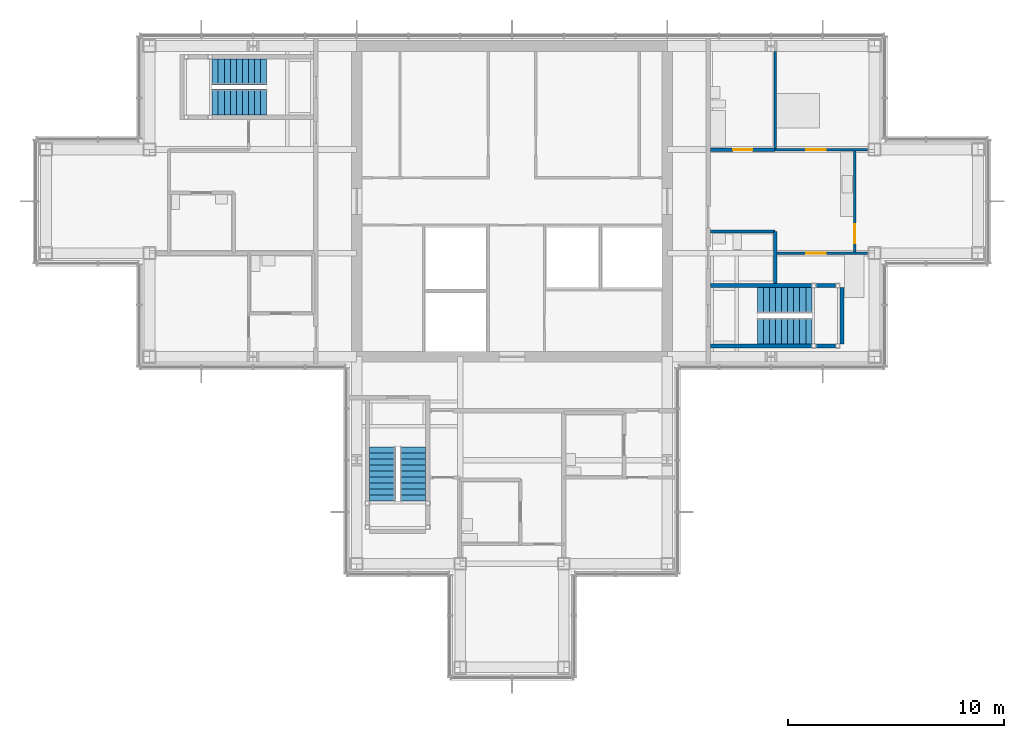
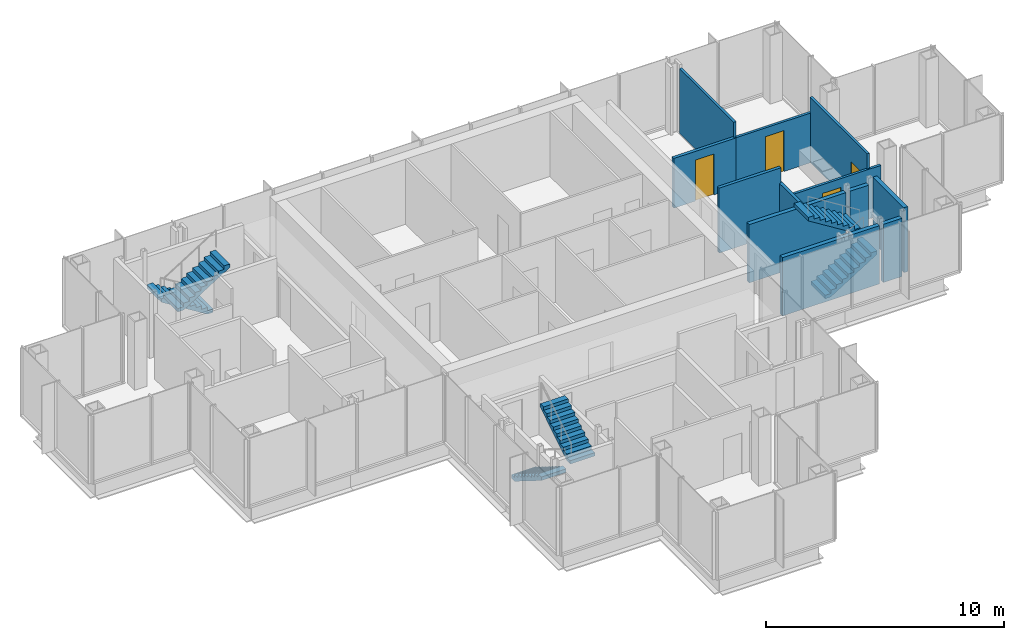
# One storey, part 12 of 15: 12 walls, 6 stair flights, 4 doors, 4 openings, 3 elements without a shape of their own.
"""IFC4 building model written with IfcOpenShell, lengths in metres."""

import ifcopenshell
import ifcopenshell.guid

model = None  # the IFC model being written
_history = None  # IfcOwnerHistory: only IFC2X3 demands one
_inside = {}  # id of a spatial element -> (the spatial element, [elements in it])
_under = {}  # id of a project, library or spatial element -> (it, [spatial elements below it])
_declared = {}  # id of a project -> (the project, [libraries it declares])
_typed = {}  # id of a type object -> (the type object, [elements of that type])
_made_of = {}  # id of a material, layer set ... -> (it, [elements and type objects made of it])


def new_model(schema):
    """Start an empty IFC model of exactly this schema.

    Asked for "IFC4X3", IfcOpenShell would pick the latest addendum, in which some entities
    have other attributes; the version numbers below select the first issue.
    IFC2X3 requires an IfcOwnerHistory on every rooted entity: one is made here for all.
    """
    global model, _history
    if schema == "IFC4X3":
        model = ifcopenshell.file(schema_version=(4, 3, 0, 0))
    else:
        model = ifcopenshell.file(schema=schema)
    _inside.clear()
    _under.clear()
    _declared.clear()
    _typed.clear()
    _made_of.clear()
    _history = None
    if model.schema == "IFC2X3":
        org = make("IfcOrganization", Name="unknown")
        user = make(
            "IfcPersonAndOrganization",
            ThePerson=make("IfcPerson", FamilyName="unknown"),
            TheOrganization=org,
        )
        app = make(
            "IfcApplication",
            ApplicationDeveloper=org,
            Version="unknown",
            ApplicationFullName="unknown",
            ApplicationIdentifier="unknown",
        )
        _history = make(
            "IfcOwnerHistory",
            OwningUser=user,
            OwningApplication=app,
            ChangeAction="ADDED",
            CreationDate=0,
        )
    return model


def make(cls, **values):
    """One entity of the class cls with the attributes given. An attribute that is None is left unset."""
    return model.create_entity(
        cls, **{name: value for name, value in values.items() if value is not None}
    )


def rooted(cls, **values):
    """An entity with a GlobalId (a new one), such as an element, a storey or a relation."""
    return make(cls, GlobalId=ifcopenshell.guid.new(), OwnerHistory=_history, **values)


def si_unit(unit_type, name, prefix=None):
    """IfcSIUnit, for example si_unit("LENGTHUNIT", "METRE", prefix="MILLI")."""
    return make("IfcSIUnit", UnitType=unit_type, Prefix=prefix, Name=name)


def assignment(units):
    """IfcUnitAssignment: the units of a project."""
    return None if units is None else make("IfcUnitAssignment", Units=units)


def point(xyz):
    """IfcCartesianPoint."""
    return None if xyz is None else make("IfcCartesianPoint", Coordinates=xyz)


def direction(xyz):
    """IfcDirection."""
    return None if xyz is None else make("IfcDirection", DirectionRatios=xyz)


def frame(location, z_axis=None, x_axis=None):
    """IfcAxis2Placement3D, a coordinate frame: its origin and axes. An axis left out is left unset."""
    return make(
        "IfcAxis2Placement3D",
        Location=point(location),
        Axis=direction(z_axis),
        RefDirection=direction(x_axis),
    )


def frame_2d(location, x_axis=None):
    """IfcAxis2Placement2D, a coordinate frame in the plane: its origin and x axis."""
    return make(
        "IfcAxis2Placement2D", Location=point(location), RefDirection=direction(x_axis)
    )


def origin():
    """The frame at (0, 0, 0) with its axes left unset."""
    return frame((0.0, 0.0, 0.0))


def place(relative_to, where):
    """IfcLocalPlacement: puts the frame where relative to a parent placement (None: the world)."""
    return make(
        "IfcLocalPlacement", PlacementRelTo=relative_to, RelativePlacement=where
    )


def context(
    kind, dimensions, precision=None, world=None, true_north=None, identifier=None
):
    """IfcGeometricRepresentationContext, for example the 3D "Model" context."""
    return make(
        "IfcGeometricRepresentationContext",
        ContextIdentifier=identifier,
        ContextType=kind,
        CoordinateSpaceDimension=dimensions,
        Precision=precision,
        WorldCoordinateSystem=world,
        TrueNorth=true_north,
    )


def subcontext(parent, identifier, kind, view, scale=None):
    """IfcGeometricRepresentationSubContext, for example "Body" below "Model"."""
    return make(
        "IfcGeometricRepresentationSubContext",
        ContextIdentifier=identifier,
        ContextType=kind,
        ParentContext=parent,
        TargetScale=scale,
        TargetView=view,
    )


def project(units=None, contexts=None):
    """IfcProject with its units and contexts."""
    return rooted(
        "IfcProject",
        Name="project",
        RepresentationContexts=contexts,
        UnitsInContext=assignment(units),
    )


def spatial(cls, under=None, at=None, **own):
    """A site, building, storey or space (cls), placed at a placement, below another one or the project."""
    s = rooted(cls, ObjectPlacement=at, **own)
    if under is not None:
        _under.setdefault(under.id(), (under, []))[1].append(s)
    return s


def polyline(points):
    """IfcPolyline through the points."""
    return make("IfcPolyline", Points=[point(p) for p in points])


def profile(cls, at=None, kind="AREA", **sizes):
    """A parametric profile (cls). Its sizes go by their IFC names, for example OverallWidth=200.0."""
    return make(cls, ProfileType=kind, Position=at, **sizes)


def rectangle(**sizes):
    """IfcRectangleProfileDef."""
    return profile("IfcRectangleProfileDef", **sizes)


def outline(outer, holes=None, kind="AREA"):
    """IfcArbitraryClosedProfileDef: a profile drawn as a closed curve; with holes, ...WithVoids."""
    if holes is None:
        return make("IfcArbitraryClosedProfileDef", ProfileType=kind, OuterCurve=outer)
    return make(
        "IfcArbitraryProfileDefWithVoids",
        ProfileType=kind,
        OuterCurve=outer,
        InnerCurves=holes,
    )


def extrude(swept, where, along, depth):
    """IfcExtrudedAreaSolid: the profile swept, set in the frame where, extruded along a direction by depth."""
    return make(
        "IfcExtrudedAreaSolid",
        SweptArea=swept,
        Position=where,
        ExtrudedDirection=direction(along),
        Depth=depth,
    )


def shape(context_of_items, identifier, shape_type, items):
    """IfcShapeRepresentation: the items that make up one representation, for example the "Body"."""
    return make(
        "IfcShapeRepresentation",
        ContextOfItems=context_of_items,
        RepresentationIdentifier=identifier,
        RepresentationType=shape_type,
        Items=items,
    )


def material(Name=None, Category=None):
    """IfcMaterial."""
    return make("IfcMaterial", Name=Name, Category=Category)


def layer(
    of_material, thickness, ventilated=None, Name=None, Category=None, Priority=None
):
    """IfcMaterialLayer: one layer of a wall or slab, of a material (None: an air gap)."""
    return make(
        "IfcMaterialLayer",
        Material=of_material,
        LayerThickness=thickness,
        IsVentilated=ventilated,
        Name=Name,
        Category=Category,
        Priority=Priority,
    )


def layer_set(layers, Name=None):
    """IfcMaterialLayerSet."""
    return make("IfcMaterialLayerSet", MaterialLayers=layers, LayerSetName=Name)


def made_of(thing, what):
    """Note that an element or type object is made of a material, layer set ...; save() writes the relation."""
    if what is not None:
        _made_of.setdefault(what.id(), (what, []))[1].append(thing)
    return thing


def type_object(cls, material=None, **own):
    """A type object (cls), such as IfcWallType, which elements share."""
    return made_of(rooted(cls, **own), material)


def element(
    cls,
    number,
    at=None,
    inside=None,
    cuts=None,
    type_object=None,
    material=None,
    context=None,
    identifier="Body",
    shape_type=None,
    held_by="IfcProductDefinitionShape",
    body=None,
    shapes=None,
    **own,
):
    """One element of the class cls, such as IfcWall. Its Tag is "e" and its number.

    at: its placement. inside: the storey or other place that contains it. cuts: it is an
    opening in that element (IfcRelVoidsElement). A single representation is given by context,
    identifier, shape_type and body (its items); several are given by shapes. held_by: the class
    of the entity that holds the representations. save() writes the other relations.
    """
    e = rooted(cls, Tag="e%d" % number, ObjectPlacement=at, **own)
    if body is not None:
        shapes = [shape(context, identifier, shape_type, body)]
    if shapes is not None:
        e.Representation = make(held_by, Representations=shapes)
    if inside is not None:
        _inside.setdefault(inside.id(), (inside, []))[1].append(e)
    if cuts is not None:
        rooted(
            "IfcRelVoidsElement", RelatingBuildingElement=cuts, RelatedOpeningElement=e
        )
    if type_object is not None:
        _typed.setdefault(type_object.id(), (type_object, []))[1].append(e)
    return made_of(e, material)


def fill(opening, filler):
    """IfcRelFillsElement: the door or window that sits in an opening."""
    return rooted(
        "IfcRelFillsElement",
        RelatingOpeningElement=opening,
        RelatedBuildingElement=filler,
    )


def aggregate(whole, parts):
    """IfcRelAggregates: a whole, such as a stair, and the parts it consists of."""
    return rooted("IfcRelAggregates", RelatingObject=whole, RelatedObjects=parts)


def save(model, path):
    """Write the relations noted so far, then the file.

    IfcRelAggregates (storeys below a building ...), IfcRelContainedInSpatialStructure (elements
    in a storey), IfcRelDefinesByType, IfcRelAssociatesMaterial and IfcRelDeclares: one each for
    every whole, place, type object, material and project.
    """
    for whole, parts in _under.values():
        aggregate(whole, parts)
    for where, things in _inside.values():
        rooted(
            "IfcRelContainedInSpatialStructure",
            RelatedElements=things,
            RelatingStructure=where,
        )
    for kind, things in _typed.values():
        rooted("IfcRelDefinesByType", RelatedObjects=things, RelatingType=kind)
    for what, things in _made_of.values():
        rooted("IfcRelAssociatesMaterial", RelatedObjects=things, RelatingMaterial=what)
    for by, libraries in _declared.values():
        rooted("IfcRelDeclares", RelatingContext=by, RelatedDefinitions=libraries)
    model.write(path)


model = new_model("IFC4")

# Units and contexts
model_context = context("Model", 3, precision=1e-05, world=origin(), true_north=direction((0.0, 1.0)))
body_context = subcontext(model_context, "Body", "Model", "MODEL_VIEW")
ifc_project = project(units=[si_unit("LENGTHUNIT", "METRE"), si_unit("AREAUNIT", "SQUARE_METRE"), si_unit("VOLUMEUNIT", "CUBIC_METRE"), si_unit("PLANEANGLEUNIT", "RADIAN"), si_unit("MASSUNIT", "GRAM", prefix="KILO")], contexts=[model_context])

# Site, building, storey
site_placement = place(None, origin())
site = spatial("IfcSite", under=ifc_project, at=site_placement, CompositionType="ELEMENT")
building_placement = place(site_placement, origin())
building = spatial("IfcBuilding", under=site, at=building_placement, Name="Kvirike Care Tower", CompositionType="ELEMENT")
storey_placement = place(building_placement, frame((0.0, 0.0, 229.5)))
storey = spatial("IfcBuildingStorey", under=building, at=storey_placement, Name="L63", CompositionType="ELEMENT", Elevation=229.5)

# Walls
ifc_material_1 = material(Name="Moisture-resistant board partition", Category="gypsum")
ifc_layer_1 = layer(ifc_material_1, 0.14990234375)
ifc_layer_set_1 = layer_set([ifc_layer_1], Name="BATHROOM WALL 150")
wall_type_1 = type_object("IfcWallType", Name="BATHROOM WALL 150", PredefinedType="PARTITIONING", material=ifc_layer_set_1)
wall_1_placement = place(storey_placement, frame((33.800048828125, 32.199951171875, 0.0), z_axis=(0.0, 0.0, 1.0), x_axis=(0.0, 1.0, 0.0)))
element("IfcWall", 1, at=wall_1_placement, inside=storey, type_object=wall_type_1, Name="Bathroom Wall 150 L63", PredefinedType="PARTITIONING", context=body_context, shape_type="SweptSolid", body=[
    extrude(rectangle(XDim=2.400146484375, YDim=0.14990234375, at=frame_2d((1.2001953125, 0.0))), origin(), (0.0, 0.0, 1.0), 2.550048828125),
])
wall_2_placement = place(storey_placement, frame((33.800048828125, 34.60009765625, 0.0), z_axis=(0.0, 0.0, 1.0), x_axis=(-1.0, 0.0, 0.0)))
element("IfcWall", 2, at=wall_2_placement, inside=storey, type_object=wall_type_1, Name="Bathroom Wall 150 L63", PredefinedType="PARTITIONING", context=body_context, shape_type="SweptSolid", body=[
    extrude(rectangle(XDim=3.0, YDim=0.14990234375, at=frame_2d((1.5, 0.0))), origin(), (0.0, 0.0, 1.0), 3.330078125),
])

# Wall, opening, door
wall_3_placement = place(storey_placement, frame((33.800048828125, 38.39990234375, 0.0), z_axis=(0.0, 0.0, 1.0), x_axis=(-1.0, 0.0, 0.0)))
wall_3 = element("IfcWall", 3, at=wall_3_placement, inside=storey, type_object=wall_type_1, Name="Bathroom Wall 150 L63", PredefinedType="PARTITIONING", context=body_context, shape_type="SweptSolid", body=[
    extrude(rectangle(XDim=3.0, YDim=0.14990234375, at=frame_2d((1.5, 0.0))), origin(), (0.0, 0.0, 1.0), 2.550048828125),
])
opening_1_placement = place(wall_3_placement, frame((1.050048828125, 0.0, 0.0)))
opening_1 = element("IfcOpeningElement", 4, at=opening_1_placement, cuts=wall_3, Name="Opening 63-016", PredefinedType="OPENING", context=body_context, shape_type="SweptSolid", body=[
    extrude(rectangle(XDim=0.89990234375, YDim=2.10009765625, at=frame_2d((0.449951171875, 1.050048828125))), frame((0.0, 0.08544921875, 0.0), z_axis=(0.0, -1.0, 0.0), x_axis=(1.0, 0.0, 0.0)), (0.0, 0.0, 1.0), 0.1708984375),
])
ifc_material_2 = material(Name="Timber door set", Category="wood")
door_type_1 = type_object("IfcDoorType", Name="BATHROOM DOOR 900", OperationType="SINGLE_SWING_RIGHT", PredefinedType="DOOR", material=ifc_material_2)
door_1_placement = place(opening_1_placement, frame((0.89990234375, 0.0, 0.0), z_axis=(0.0, 0.0, 1.0), x_axis=(-1.0, 0.0, 0.0)))
door_1 = element("IfcDoor", 5, at=door_1_placement, inside=storey, type_object=door_type_1, Name="Bathroom door", OperationType="SINGLE_SWING_LEFT", OverallHeight=2.10009765625, OverallWidth=0.89990234375, PredefinedType="DOOR", context=body_context, shape_type="SweptSolid", body=[
    extrude(rectangle(XDim=0.89990234375, YDim=2.10009765625, at=frame_2d((0.449951171875, 1.050048828125))), frame((0.0, 0.02197265625, 0.0), z_axis=(0.0, -1.0, 0.0), x_axis=(1.0, 0.0, 0.0)), (0.0, 0.0, 1.0), 0.0439453125),
])
fill(opening_1, door_1)

ifc_material_3 = material(Name="Plasterboard partition", Category="gypsum")
ifc_layer_2 = layer(ifc_material_3, 0.1201171875)
ifc_layer_set_2 = layer_set([ifc_layer_2], Name="PARTITION 120")
wall_type_2 = type_object("IfcWallType", Name="PARTITION 120", PredefinedType="PARTITIONING", material=ifc_layer_set_2)
wall_4_placement = place(storey_placement, frame((37.5, 33.60009765625, 0.0), z_axis=(0.0, 0.0, 1.0), x_axis=(0.0, 1.0, 0.0)))
wall_4 = element("IfcWall", 6, at=wall_4_placement, inside=storey, type_object=wall_type_2, Name="Partition 120 L63", PredefinedType="PARTITIONING", context=body_context, shape_type="SweptSolid", body=[
    extrude(rectangle(XDim=4.7998046875, YDim=0.1201171875, at=frame_2d((2.39990234375, 0.0))), origin(), (0.0, 0.0, 1.0), 3.330078125),
])
opening_2_placement = place(wall_4_placement, frame((0.449951171875, 0.0, 0.0)))
opening_2 = element("IfcOpeningElement", 7, at=opening_2_placement, cuts=wall_4, Name="Opening 63-017", PredefinedType="OPENING", context=body_context, shape_type="SweptSolid", body=[
    extrude(rectangle(XDim=0.89990234375, YDim=2.10009765625, at=frame_2d((0.449951171875, 1.050048828125))), frame((0.0, 0.070556640625, 0.0), z_axis=(0.0, -1.0, 0.0), x_axis=(1.0, 0.0, 0.0)), (0.0, 0.0, 1.0), 0.14111328125),
])
ifc_material_4 = material(Name="Timber door set", Category="wood")
door_type_2 = type_object("IfcDoorType", Name="INTERNAL DOOR 900", OperationType="SINGLE_SWING_LEFT", PredefinedType="DOOR", material=ifc_material_4)
door_2_placement = place(opening_2_placement, frame((0.89990234375, 0.0, 0.0), z_axis=(0.0, 0.0, 1.0), x_axis=(-1.0, 0.0, 0.0)))
door_2 = element("IfcDoor", 8, at=door_2_placement, inside=storey, type_object=door_type_2, Name="Apartment living room door", OperationType="SINGLE_SWING_LEFT", OverallHeight=2.10009765625, OverallWidth=0.89990234375, PredefinedType="DOOR", context=body_context, shape_type="SweptSolid", body=[
    extrude(rectangle(XDim=0.89990234375, YDim=2.10009765625, at=frame_2d((0.449951171875, 1.050048828125))), frame((0.0, 0.02197265625, 0.0), z_axis=(0.0, -1.0, 0.0), x_axis=(1.0, 0.0, 0.0)), (0.0, 0.0, 1.0), 0.0439453125),
])
fill(opening_2, door_2)

# Wall
wall_5_placement = place(storey_placement, frame((33.800048828125, 38.39990234375, 0.0), z_axis=(0.0, 0.0, 1.0), x_axis=(0.0, 1.0, 0.0)))
element("IfcWall", 9, at=wall_5_placement, inside=storey, type_object=wall_type_2, Name="Partition 120 L63", PredefinedType="PARTITIONING", context=body_context, shape_type="SweptSolid", body=[
    extrude(rectangle(XDim=4.55615234375, YDim=0.1201171875, at=frame_2d((2.278076171875, 0.0))), origin(), (0.0, 0.0, 1.0), 3.330078125),
])

# Wall, opening, door
wall_6_placement = place(storey_placement, frame((38.080078125, 33.60009765625, 0.0), z_axis=(0.0, 0.0, 1.0), x_axis=(-1.0, 0.0, 0.0)))
wall_6 = element("IfcWall", 10, at=wall_6_placement, inside=storey, type_object=wall_type_2, Name="Partition 120 L63", PredefinedType="PARTITIONING", context=body_context, shape_type="SweptSolid", body=[
    extrude(rectangle(XDim=4.280029296875, YDim=0.1201171875, at=frame_2d((2.14013671875, 0.0))), origin(), (0.0, 0.0, 1.0), 2.550048828125),
])
opening_3_placement = place(wall_6_placement, frame((1.929931640625, 0.0, 0.0)))
opening_3 = element("IfcOpeningElement", 11, at=opening_3_placement, cuts=wall_6, Name="Opening 63-018", PredefinedType="OPENING", context=body_context, shape_type="SweptSolid", body=[
    extrude(rectangle(XDim=0.89990234375, YDim=2.10009765625, at=frame_2d((0.449951171875, 1.050048828125))), frame((0.0, 0.070556640625, 0.0), z_axis=(0.0, -1.0, 0.0), x_axis=(1.0, 0.0, 0.0)), (0.0, 0.0, 1.0), 0.14111328125),
])
door_3_placement = place(opening_3_placement, origin())
door_3 = element("IfcDoor", 12, at=door_3_placement, inside=storey, type_object=door_type_2, Name="Connecting door", OperationType="SINGLE_SWING_LEFT", OverallHeight=2.10009765625, OverallWidth=0.89990234375, PredefinedType="DOOR", context=body_context, shape_type="SweptSolid", body=[
    extrude(rectangle(XDim=0.89990234375, YDim=2.10009765625, at=frame_2d((0.449951171875, 1.050048828125))), frame((0.0, 0.02197265625, 0.0), z_axis=(0.0, -1.0, 0.0), x_axis=(1.0, 0.0, 0.0)), (0.0, 0.0, 1.0), 0.0439453125),
])
fill(opening_3, door_3)

wall_7_placement = place(storey_placement, frame((38.080078125, 38.39990234375, 0.0), z_axis=(0.0, 0.0, 1.0), x_axis=(-1.0, 0.0, 0.0)))
wall_7 = element("IfcWall", 13, at=wall_7_placement, inside=storey, type_object=wall_type_2, Name="Partition 120 L63", PredefinedType="PARTITIONING", context=body_context, shape_type="SweptSolid", body=[
    extrude(rectangle(XDim=4.280029296875, YDim=0.1201171875, at=frame_2d((2.14013671875, 0.0))), origin(), (0.0, 0.0, 1.0), 2.550048828125),
])
opening_4_placement = place(wall_7_placement, frame((1.929931640625, 0.0, 0.0)))
opening_4 = element("IfcOpeningElement", 14, at=opening_4_placement, cuts=wall_7, Name="Opening 63-019", PredefinedType="OPENING", context=body_context, shape_type="SweptSolid", body=[
    extrude(rectangle(XDim=0.89990234375, YDim=2.10009765625, at=frame_2d((0.449951171875, 1.050048828125))), frame((0.0, 0.070556640625, 0.0), z_axis=(0.0, -1.0, 0.0), x_axis=(1.0, 0.0, 0.0)), (0.0, 0.0, 1.0), 0.14111328125),
])
door_4_placement = place(opening_4_placement, frame((0.89990234375, 0.0, 0.0), z_axis=(0.0, 0.0, 1.0), x_axis=(-1.0, 0.0, 0.0)))
door_4 = element("IfcDoor", 15, at=door_4_placement, inside=storey, type_object=door_type_2, Name="Connecting door", OperationType="SINGLE_SWING_RIGHT", OverallHeight=2.10009765625, OverallWidth=0.89990234375, PredefinedType="DOOR", context=body_context, shape_type="SweptSolid", body=[
    extrude(rectangle(XDim=0.89990234375, YDim=2.10009765625, at=frame_2d((0.449951171875, 1.050048828125))), frame((0.0, 0.02197265625, 0.0), z_axis=(0.0, -1.0, 0.0), x_axis=(1.0, 0.0, 0.0)), (0.0, 0.0, 1.0), 0.0439453125),
])
fill(opening_4, door_4)

# Walls
ifc_material_5 = material(Name="Concrete C40/50", Category="concrete")
ifc_layer_3 = layer(ifc_material_5, 0.199951171875)
ifc_layer_set_3 = layer_set([ifc_layer_3], Name="STAIR WALL 200")
wall_type_3 = type_object("IfcWallType", Name="STAIR WALL 200", PredefinedType="SOLIDWALL", material=ifc_layer_set_3)
wall_8_placement = place(storey_placement, frame((36.60009765625, 29.300048828125, 0.0), z_axis=(0.0, 0.0, 1.0), x_axis=(-1.0, 0.0, 0.0)))
element("IfcWall", 16, at=wall_8_placement, inside=storey, type_object=wall_type_3, Name="Stair Wall 200 L63", PredefinedType="SOLIDWALL", context=body_context, shape_type="SweptSolid", body=[
    extrude(rectangle(XDim=0.900146484375, YDim=0.199951171875, at=frame_2d((0.4501953125, 0.0))), origin(), (0.0, 0.0, 1.0), 2.989990234375),
])
wall_9_placement = place(storey_placement, frame((35.5, 29.300048828125, 0.0), z_axis=(0.0, 0.0, 1.0), x_axis=(-1.0, 0.0, 0.0)))
element("IfcWall", 17, at=wall_9_placement, inside=storey, type_object=wall_type_3, Name="Stair Wall 200 L63", PredefinedType="SOLIDWALL", context=body_context, shape_type="SweptSolid", body=[
    extrude(rectangle(XDim=4.699951171875, YDim=0.199951171875, at=frame_2d((2.35009765625, 0.0))), origin(), (0.0, 0.0, 1.0), 2.989990234375),
])
wall_10_placement = place(storey_placement, frame((36.60009765625, 32.10009765625, 0.0), z_axis=(0.0, 0.0, 1.0), x_axis=(-1.0, 0.0, 0.0)))
element("IfcWall", 18, at=wall_10_placement, inside=storey, type_object=wall_type_3, Name="Stair Wall 200 L63", PredefinedType="SOLIDWALL", context=body_context, shape_type="SweptSolid", body=[
    extrude(rectangle(XDim=0.900146484375, YDim=0.199951171875, at=frame_2d((0.4501953125, 0.0))), origin(), (0.0, 0.0, 1.0), 2.989990234375),
])
wall_11_placement = place(storey_placement, frame((35.5, 32.10009765625, 0.0), z_axis=(0.0, 0.0, 1.0), x_axis=(-1.0, 0.0, 0.0)))
element("IfcWall", 19, at=wall_11_placement, inside=storey, type_object=wall_type_3, Name="Stair Wall 200 L63", PredefinedType="SOLIDWALL", context=body_context, shape_type="SweptSolid", body=[
    extrude(rectangle(XDim=4.699951171875, YDim=0.199951171875, at=frame_2d((2.35009765625, 0.0))), origin(), (0.0, 0.0, 1.0), 2.989990234375),
])
wall_12_placement = place(storey_placement, frame((36.89990234375, 29.39990234375, 0.0), z_axis=(0.0, 0.0, 1.0), x_axis=(0.0, 1.0, 0.0)))
element("IfcWall", 20, at=wall_12_placement, inside=storey, type_object=wall_type_3, Name="Stair Wall 200 L63", PredefinedType="SOLIDWALL", context=body_context, shape_type="SweptSolid", body=[
    extrude(rectangle(XDim=2.60009765625, YDim=0.199951171875, at=frame_2d((1.300048828125, 0.0))), origin(), (0.0, 0.0, 1.0), 3.330078125),
])

# Stair, stair flights
ifc_material_6 = material(Name="Concrete C35/45", Category="concrete")
stair_type = type_object("IfcStairType", Name="STAIR 20 RISERS", PredefinedType="HALF_TURN_STAIR", material=ifc_material_6)
stair_1_placement = place(storey_placement, origin())
stair_1 = element("IfcStair", 21, at=stair_1_placement, inside=storey, type_object=stair_type, Name="Stair 1 L63", PredefinedType="HALF_TURN_STAIR")
ifc_material_7 = material(Name="Concrete C35/45", Category="concrete")
stair_flight_type = type_object("IfcStairFlightType", Name="FLIGHT 10 RISERS", PredefinedType="STRAIGHT", material=ifc_material_7)
stair_flight_1_placement = place(storey_placement, frame((10.219970703125, 42.0, 0.0), z_axis=(0.0, 0.0, 1.0), x_axis=(-1.0, 0.0, 0.0)))
stair_flight_1 = element("IfcStairFlight", 22, at=stair_flight_1_placement, type_object=stair_flight_type, Name="Stair S1 flight 1 L63-L64", NumberOfRisers=10, NumberOfTreads=9, PredefinedType="STRAIGHT", RiserHeight=0.175, TreadLength=0.28, context=body_context, shape_type="SweptSolid", body=[
    extrude(outline(polyline([(0.0, 0.0), (0.0, 0.175048828125), (0.280029296875, 0.175048828125), (0.280029296875, 0.35009765625), (0.56005859375, 0.35009765625), (0.56005859375, 0.52490234375), (0.840087890625, 0.52490234375), (0.840087890625, 0.699951171875), (1.1201171875, 0.699951171875), (1.1201171875, 0.875), (1.39990234375, 0.875), (1.39990234375, 1.050048828125), (1.679931640625, 1.050048828125), (1.679931640625, 1.22509765625), (1.9599609375, 1.22509765625), (1.9599609375, 1.39990234375), (2.239990234375, 1.39990234375), (2.239990234375, 1.574951171875), (2.52001953125, 1.574951171875), (2.52001953125, 1.75), (2.52001953125, 1.398193359375), (0.28271484375, 0.0), (0.0, 0.0)])), frame((0.0, 0.60009765625, 0.0), z_axis=(0.0, -1.0, 0.0), x_axis=(1.0, 0.0, 0.0)), (0.0, 0.0, 1.0), 1.199951171875),
])
stair_flight_2_placement = place(storey_placement, frame((7.699951171875, 40.60009765625, 1.75), z_axis=(0.0, 0.0, 1.0), x_axis=(1.0, 0.0, 0.0)))
stair_flight_2 = element("IfcStairFlight", 23, at=stair_flight_2_placement, type_object=stair_flight_type, Name="Stair S1 flight 2 L63-L64", NumberOfRisers=10, NumberOfTreads=9, PredefinedType="STRAIGHT", RiserHeight=0.175, TreadLength=0.28, context=body_context, shape_type="SweptSolid", body=[
    extrude(outline(polyline([(0.0, 0.0), (0.0, 0.175048828125), (0.280029296875, 0.175048828125), (0.280029296875, 0.35009765625), (0.56005859375, 0.35009765625), (0.56005859375, 0.52490234375), (0.840087890625, 0.52490234375), (0.840087890625, 0.699951171875), (1.1201171875, 0.699951171875), (1.1201171875, 0.875), (1.39990234375, 0.875), (1.39990234375, 1.050048828125), (1.679931640625, 1.050048828125), (1.679931640625, 1.22509765625), (1.9599609375, 1.22509765625), (1.9599609375, 1.39990234375), (2.239990234375, 1.39990234375), (2.239990234375, 1.574951171875), (2.52001953125, 1.574951171875), (2.52001953125, 1.75), (2.52001953125, 1.398193359375), (0.28271484375, 0.0), (0.0, 0.0)])), frame((0.0, 0.60009765625, 0.0), z_axis=(0.0, -1.0, 0.0), x_axis=(1.0, 0.0, 0.0)), (0.0, 0.0, 1.0), 1.199951171875),
])
aggregate(stair_1, [stair_flight_1, stair_flight_2])

stair_2_placement = place(storey_placement, origin())
stair_2 = element("IfcStair", 24, at=stair_2_placement, inside=storey, type_object=stair_type, Name="Stair 2 L63", PredefinedType="HALF_TURN_STAIR")
stair_flight_3_placement = place(storey_placement, frame((32.97998046875, 30.0, 0.0), z_axis=(0.0, 0.0, 1.0), x_axis=(1.0, 0.0, 0.0)))
stair_flight_3 = element("IfcStairFlight", 25, at=stair_flight_3_placement, type_object=stair_flight_type, Name="Stair S2 flight 1 L63-L64", NumberOfRisers=10, NumberOfTreads=9, PredefinedType="STRAIGHT", RiserHeight=0.175, TreadLength=0.28, context=body_context, shape_type="SweptSolid", body=[
    extrude(outline(polyline([(0.0, 0.0), (0.0, 0.175048828125), (0.280029296875, 0.175048828125), (0.280029296875, 0.35009765625), (0.56005859375, 0.35009765625), (0.56005859375, 0.52490234375), (0.840087890625, 0.52490234375), (0.840087890625, 0.699951171875), (1.1201171875, 0.699951171875), (1.1201171875, 0.875), (1.39990234375, 0.875), (1.39990234375, 1.050048828125), (1.679931640625, 1.050048828125), (1.679931640625, 1.22509765625), (1.9599609375, 1.22509765625), (1.9599609375, 1.39990234375), (2.239990234375, 1.39990234375), (2.239990234375, 1.574951171875), (2.52001953125, 1.574951171875), (2.52001953125, 1.75), (2.52001953125, 1.398193359375), (0.28271484375, 0.0), (0.0, 0.0)])), frame((0.0, 0.60009765625, 0.0), z_axis=(0.0, -1.0, 0.0), x_axis=(1.0, 0.0, 0.0)), (0.0, 0.0, 1.0), 1.199951171875),
])
stair_flight_4_placement = place(storey_placement, frame((35.5, 31.39990234375, 1.75), z_axis=(0.0, 0.0, 1.0), x_axis=(-1.0, 0.0, 0.0)))
stair_flight_4 = element("IfcStairFlight", 26, at=stair_flight_4_placement, type_object=stair_flight_type, Name="Stair S2 flight 2 L63-L64", NumberOfRisers=10, NumberOfTreads=9, PredefinedType="STRAIGHT", RiserHeight=0.175, TreadLength=0.28, context=body_context, shape_type="SweptSolid", body=[
    extrude(outline(polyline([(0.0, 0.0), (0.0, 0.175048828125), (0.280029296875, 0.175048828125), (0.280029296875, 0.35009765625), (0.56005859375, 0.35009765625), (0.56005859375, 0.52490234375), (0.840087890625, 0.52490234375), (0.840087890625, 0.699951171875), (1.1201171875, 0.699951171875), (1.1201171875, 0.875), (1.39990234375, 0.875), (1.39990234375, 1.050048828125), (1.679931640625, 1.050048828125), (1.679931640625, 1.22509765625), (1.9599609375, 1.22509765625), (1.9599609375, 1.39990234375), (2.239990234375, 1.39990234375), (2.239990234375, 1.574951171875), (2.52001953125, 1.574951171875), (2.52001953125, 1.75), (2.52001953125, 1.398193359375), (0.28271484375, 0.0), (0.0, 0.0)])), frame((0.0, 0.60009765625, 0.0), z_axis=(0.0, -1.0, 0.0), x_axis=(1.0, 0.0, 0.0)), (0.0, 0.0, 1.0), 1.199951171875),
])
aggregate(stair_2, [stair_flight_3, stair_flight_4])

stair_3_placement = place(storey_placement, origin())
stair_3 = element("IfcStair", 27, at=stair_3_placement, inside=storey, type_object=stair_type, Name="Stair 5 L63", PredefinedType="HALF_TURN_STAIR")
stair_flight_5_placement = place(storey_placement, frame((15.60009765625, 24.6201171875, 0.0), z_axis=(0.0, 0.0, 1.0), x_axis=(0.0, -1.0, 0.0)))
stair_flight_5 = element("IfcStairFlight", 28, at=stair_flight_5_placement, type_object=stair_flight_type, Name="Stair S5 flight 1 L63-L64", NumberOfRisers=10, NumberOfTreads=9, PredefinedType="STRAIGHT", RiserHeight=0.175, TreadLength=0.28, context=body_context, shape_type="SweptSolid", body=[
    extrude(outline(polyline([(0.0, 0.0), (0.0, 0.175048828125), (0.280029296875, 0.175048828125), (0.280029296875, 0.35009765625), (0.56005859375, 0.35009765625), (0.56005859375, 0.52490234375), (0.840087890625, 0.52490234375), (0.840087890625, 0.699951171875), (1.1201171875, 0.699951171875), (1.1201171875, 0.875), (1.39990234375, 0.875), (1.39990234375, 1.050048828125), (1.679931640625, 1.050048828125), (1.679931640625, 1.22509765625), (1.9599609375, 1.22509765625), (1.9599609375, 1.39990234375), (2.239990234375, 1.39990234375), (2.239990234375, 1.574951171875), (2.52001953125, 1.574951171875), (2.52001953125, 1.75), (2.52001953125, 1.398193359375), (0.28271484375, 0.0), (0.0, 0.0)])), frame((0.0, 0.60009765625, 0.0), z_axis=(0.0, -1.0, 0.0), x_axis=(1.0, 0.0, 0.0)), (0.0, 0.0, 1.0), 1.199951171875),
])
stair_flight_6_placement = place(storey_placement, frame((17.0, 22.10009765625, 1.75), z_axis=(0.0, 0.0, 1.0), x_axis=(0.0, 1.0, 0.0)))
stair_flight_6 = element("IfcStairFlight", 29, at=stair_flight_6_placement, type_object=stair_flight_type, Name="Stair S5 flight 2 L63-L64", NumberOfRisers=10, NumberOfTreads=9, PredefinedType="STRAIGHT", RiserHeight=0.175, TreadLength=0.28, context=body_context, shape_type="SweptSolid", body=[
    extrude(outline(polyline([(0.0, 0.0), (0.0, 0.175048828125), (0.280029296875, 0.175048828125), (0.280029296875, 0.35009765625), (0.56005859375, 0.35009765625), (0.56005859375, 0.52490234375), (0.840087890625, 0.52490234375), (0.840087890625, 0.699951171875), (1.1201171875, 0.699951171875), (1.1201171875, 0.875), (1.39990234375, 0.875), (1.39990234375, 1.050048828125), (1.679931640625, 1.050048828125), (1.679931640625, 1.22509765625), (1.9599609375, 1.22509765625), (1.9599609375, 1.39990234375), (2.239990234375, 1.39990234375), (2.239990234375, 1.574951171875), (2.52001953125, 1.574951171875), (2.52001953125, 1.75), (2.52001953125, 1.398193359375), (0.28271484375, 0.0), (0.0, 0.0)])), frame((0.0, 0.60009765625, 0.0), z_axis=(0.0, -1.0, 0.0), x_axis=(1.0, 0.0, 0.0)), (0.0, 0.0, 1.0), 1.199951171875),
])
aggregate(stair_3, [stair_flight_5, stair_flight_6])

save(model, "model.ifc")
